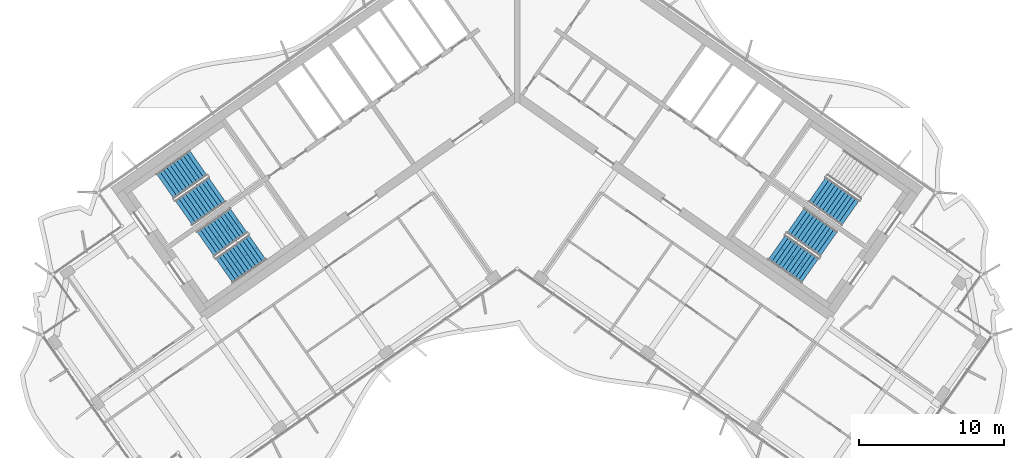
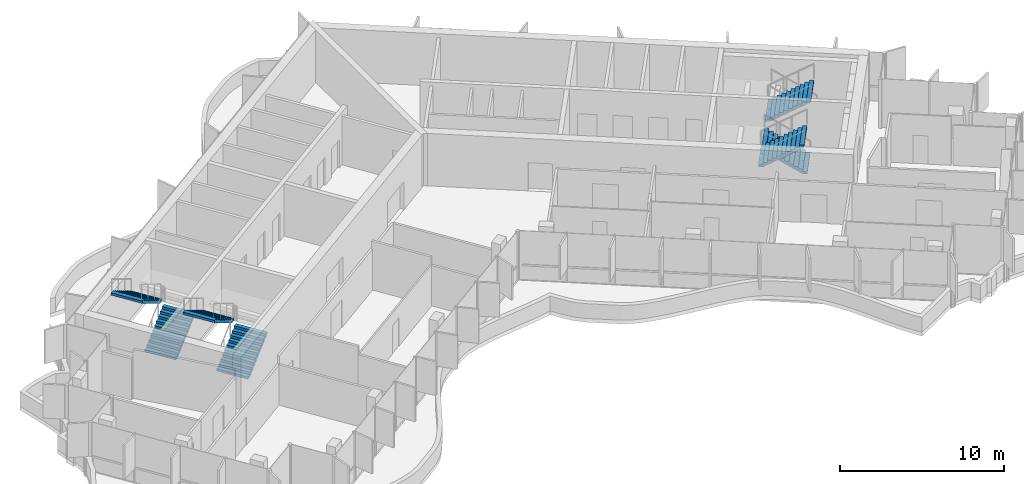
# One storey, part 14 of 20: 7 stair flights, 4 elements without a shape of their own.
"""IFC4 building model written with IfcOpenShell, lengths in metres."""

from ifc_helpers import new_model, si_unit, direction, frame, origin, place, context, subcontext, project, spatial, polyline, outline, extrude, material, type_object, element, aggregate, save


model = new_model("IFC4")

# Units and contexts
model_context = context("Model", 3, precision=1e-05, world=origin(), true_north=direction((0.0, 1.0)))
body_context = subcontext(model_context, "Body", "Model", "MODEL_VIEW")
ifc_project = project(units=[si_unit("LENGTHUNIT", "METRE"), si_unit("AREAUNIT", "SQUARE_METRE"), si_unit("VOLUMEUNIT", "CUBIC_METRE"), si_unit("PLANEANGLEUNIT", "RADIAN"), si_unit("MASSUNIT", "GRAM", prefix="KILO")], contexts=[model_context])

# Site, building, storey
site_placement = place(None, origin())
site = spatial("IfcSite", under=ifc_project, at=site_placement, CompositionType="ELEMENT")
building_placement = place(site_placement, origin())
building = spatial("IfcBuilding", under=site, at=building_placement, Name="Tel Ilan Convention Tower", CompositionType="ELEMENT")
storey_placement = place(building_placement, frame((0.0, 0.0, 244.89990234375)))
storey = spatial("IfcBuildingStorey", under=building, at=storey_placement, Name="L57", CompositionType="ELEMENT", Elevation=244.89990234375)

# Stair, stair flights
ifc_material_1 = material(Name="Concrete C40/50", Category="concrete")
stair_type = type_object("IfcStairType", Name="Pressurised Exit Stair 22 risers 177 mm", PredefinedType="HALF_TURN_STAIR", material=ifc_material_1)
stair_1_placement = place(storey_placement, origin())
stair_1 = element("IfcStair", 1, at=stair_1_placement, inside=storey, type_object=stair_type, Name="L57 Pressurised Stair S1", PredefinedType="HALF_TURN_STAIR")
ifc_material_2 = material(Name="Precast Concrete C40/50", Category="concrete")
stair_flight_type = type_object("IfcStairFlightType", Name="Concrete Stair Flight 2100 mm 22 risers 177 mm", PredefinedType="STRAIGHT", material=ifc_material_2)
stair_flight_1_placement = place(storey_placement, frame((-22.9619140625, -8.87548828125, 0.0), z_axis=(0.0, 0.0, 1.0), x_axis=(0.819152044289, 0.573576436351, 0.0)))
stair_flight_1 = element("IfcStairFlight", 2, at=stair_flight_1_placement, type_object=stair_flight_type, Name="S1 flight 1", NumberOfRisers=11, NumberOfTreads=10, PredefinedType="STRAIGHT", RiserHeight=0.177272727, TreadLength=0.28, context=body_context, shape_type="SweptSolid", body=[
    extrude(outline(polyline([(0.0, 0.0), (0.0, 0.17724609375), (0.280029296875, 0.17724609375), (0.280029296875, 0.3544921875), (0.56005859375, 0.3544921875), (0.56005859375, 0.53173828125), (0.840087890625, 0.53173828125), (0.840087890625, 0.708984375), (1.1201171875, 0.708984375), (1.1201171875, 0.886474609375), (1.39990234375, 0.886474609375), (1.39990234375, 1.063720703125), (1.679931640625, 1.063720703125), (1.679931640625, 1.240966796875), (1.9599609375, 1.240966796875), (1.9599609375, 1.418212890625), (2.239990234375, 1.418212890625), (2.239990234375, 1.595458984375), (2.52001953125, 1.595458984375), (2.52001953125, 1.772705078125), (2.800048828125, 1.772705078125), (2.800048828125, 1.949951171875), (2.800048828125, 1.59521484375), (0.2802734375, 0.0), (0.0, 0.0)])), frame((0.0, -0.100341796875, 0.0), z_axis=(0.0, -1.0, 0.0), x_axis=(1.0, 0.0, 0.0)), (0.0, 0.0, 1.0), 0.94970703125),
    extrude(outline(polyline([(0.0, 0.0), (0.0, 0.17724609375), (0.280029296875, 0.17724609375), (0.280029296875, 0.3544921875), (0.56005859375, 0.3544921875), (0.56005859375, 0.53173828125), (0.840087890625, 0.53173828125), (0.840087890625, 0.708984375), (1.1201171875, 0.708984375), (1.1201171875, 0.886474609375), (1.39990234375, 0.886474609375), (1.39990234375, 1.063720703125), (1.679931640625, 1.063720703125), (1.679931640625, 1.240966796875), (1.9599609375, 1.240966796875), (1.9599609375, 1.418212890625), (2.239990234375, 1.418212890625), (2.239990234375, 1.595458984375), (2.52001953125, 1.595458984375), (2.52001953125, 1.772705078125), (2.800048828125, 1.772705078125), (2.800048828125, 1.949951171875), (2.800048828125, 1.59521484375), (0.2802734375, 0.0), (0.0, 0.0)])), frame((0.0, -0.000244140625, 0.0), z_axis=(0.0, -1.0, 0.0), x_axis=(1.0, 0.0, 0.0)), (0.0, 0.0, 1.0), 0.099609375),
    extrude(outline(polyline([(0.0, 0.0), (0.0, 0.17724609375), (0.280029296875, 0.17724609375), (0.280029296875, 0.3544921875), (0.56005859375, 0.3544921875), (0.56005859375, 0.53173828125), (0.840087890625, 0.53173828125), (0.840087890625, 0.708984375), (1.1201171875, 0.708984375), (1.1201171875, 0.886474609375), (1.39990234375, 0.886474609375), (1.39990234375, 1.063720703125), (1.679931640625, 1.063720703125), (1.679931640625, 1.240966796875), (1.9599609375, 1.240966796875), (1.9599609375, 1.418212890625), (2.239990234375, 1.418212890625), (2.239990234375, 1.595458984375), (2.52001953125, 1.595458984375), (2.52001953125, 1.772705078125), (2.800048828125, 1.772705078125), (2.800048828125, 1.949951171875), (2.800048828125, 1.59521484375), (0.2802734375, 0.0), (0.0, 0.0)])), frame((0.0, 0.099853515625, 0.0), z_axis=(0.0, -1.0, 0.0), x_axis=(1.0, 0.0, 0.0)), (0.0, 0.0, 1.0), 0.099609375),
    extrude(outline(polyline([(0.0, 0.0), (0.0, 0.17724609375), (0.280029296875, 0.17724609375), (0.280029296875, 0.3544921875), (0.56005859375, 0.3544921875), (0.56005859375, 0.53173828125), (0.840087890625, 0.53173828125), (0.840087890625, 0.708984375), (1.1201171875, 0.708984375), (1.1201171875, 0.886474609375), (1.39990234375, 0.886474609375), (1.39990234375, 1.063720703125), (1.679931640625, 1.063720703125), (1.679931640625, 1.240966796875), (1.9599609375, 1.240966796875), (1.9599609375, 1.418212890625), (2.239990234375, 1.418212890625), (2.239990234375, 1.595458984375), (2.52001953125, 1.595458984375), (2.52001953125, 1.772705078125), (2.800048828125, 1.772705078125), (2.800048828125, 1.949951171875), (2.800048828125, 1.59521484375), (0.2802734375, 0.0), (0.0, 0.0)])), frame((0.0, 1.050048828125, 0.0), z_axis=(0.0, -1.0, 0.0), x_axis=(1.0, 0.0, 0.0)), (0.0, 0.0, 1.0), 0.94970703125),
])
stair_flight_2_placement = place(storey_placement, frame((-21.958740234375, -5.42626953125, 1.9501953125), z_axis=(0.0, 0.0, 1.0), x_axis=(-0.819152044289, -0.573576436351, 0.0)))
stair_flight_2 = element("IfcStairFlight", 3, at=stair_flight_2_placement, type_object=stair_flight_type, Name="S1 flight 2", NumberOfRisers=11, NumberOfTreads=10, PredefinedType="STRAIGHT", RiserHeight=0.177272727, TreadLength=0.28, context=body_context, shape_type="SweptSolid", body=[
    extrude(outline(polyline([(0.0, 0.0), (0.0, 0.17724609375), (0.280029296875, 0.17724609375), (0.280029296875, 0.3544921875), (0.56005859375, 0.3544921875), (0.56005859375, 0.53173828125), (0.840087890625, 0.53173828125), (0.840087890625, 0.708984375), (1.1201171875, 0.708984375), (1.1201171875, 0.886474609375), (1.39990234375, 0.886474609375), (1.39990234375, 1.063720703125), (1.679931640625, 1.063720703125), (1.679931640625, 1.240966796875), (1.9599609375, 1.240966796875), (1.9599609375, 1.418212890625), (2.239990234375, 1.418212890625), (2.239990234375, 1.595458984375), (2.52001953125, 1.595458984375), (2.52001953125, 1.772705078125), (2.800048828125, 1.772705078125), (2.800048828125, 1.949951171875), (2.800048828125, 1.59521484375), (0.2802734375, 0.0), (0.0, 0.0)])), frame((0.0, -0.100341796875, 0.0), z_axis=(0.0, -1.0, 0.0), x_axis=(1.0, 0.0, 0.0)), (0.0, 0.0, 1.0), 0.94970703125),
    extrude(outline(polyline([(0.0, 0.0), (0.0, 0.17724609375), (0.280029296875, 0.17724609375), (0.280029296875, 0.3544921875), (0.56005859375, 0.3544921875), (0.56005859375, 0.53173828125), (0.840087890625, 0.53173828125), (0.840087890625, 0.708984375), (1.1201171875, 0.708984375), (1.1201171875, 0.886474609375), (1.39990234375, 0.886474609375), (1.39990234375, 1.063720703125), (1.679931640625, 1.063720703125), (1.679931640625, 1.240966796875), (1.9599609375, 1.240966796875), (1.9599609375, 1.418212890625), (2.239990234375, 1.418212890625), (2.239990234375, 1.595458984375), (2.52001953125, 1.595458984375), (2.52001953125, 1.772705078125), (2.800048828125, 1.772705078125), (2.800048828125, 1.949951171875), (2.800048828125, 1.59521484375), (0.2802734375, 0.0), (0.0, 0.0)])), frame((0.0, -0.000244140625, 0.0), z_axis=(0.0, -1.0, 0.0), x_axis=(1.0, 0.0, 0.0)), (0.0, 0.0, 1.0), 0.099609375),
    extrude(outline(polyline([(0.0, 0.0), (0.0, 0.17724609375), (0.280029296875, 0.17724609375), (0.280029296875, 0.3544921875), (0.56005859375, 0.3544921875), (0.56005859375, 0.53173828125), (0.840087890625, 0.53173828125), (0.840087890625, 0.708984375), (1.1201171875, 0.708984375), (1.1201171875, 0.886474609375), (1.39990234375, 0.886474609375), (1.39990234375, 1.063720703125), (1.679931640625, 1.063720703125), (1.679931640625, 1.240966796875), (1.9599609375, 1.240966796875), (1.9599609375, 1.418212890625), (2.239990234375, 1.418212890625), (2.239990234375, 1.595458984375), (2.52001953125, 1.595458984375), (2.52001953125, 1.772705078125), (2.800048828125, 1.772705078125), (2.800048828125, 1.949951171875), (2.800048828125, 1.59521484375), (0.2802734375, 0.0), (0.0, 0.0)])), frame((0.0, 0.099853515625, 0.0), z_axis=(0.0, -1.0, 0.0), x_axis=(1.0, 0.0, 0.0)), (0.0, 0.0, 1.0), 0.099609375),
    extrude(outline(polyline([(0.0, 0.0), (0.0, 0.17724609375), (0.280029296875, 0.17724609375), (0.280029296875, 0.3544921875), (0.56005859375, 0.3544921875), (0.56005859375, 0.53173828125), (0.840087890625, 0.53173828125), (0.840087890625, 0.708984375), (1.1201171875, 0.708984375), (1.1201171875, 0.886474609375), (1.39990234375, 0.886474609375), (1.39990234375, 1.063720703125), (1.679931640625, 1.063720703125), (1.679931640625, 1.240966796875), (1.9599609375, 1.240966796875), (1.9599609375, 1.418212890625), (2.239990234375, 1.418212890625), (2.239990234375, 1.595458984375), (2.52001953125, 1.595458984375), (2.52001953125, 1.772705078125), (2.800048828125, 1.772705078125), (2.800048828125, 1.949951171875), (2.800048828125, 1.59521484375), (0.2802734375, 0.0), (0.0, 0.0)])), frame((0.0, 1.050048828125, 0.0), z_axis=(0.0, -1.0, 0.0), x_axis=(1.0, 0.0, 0.0)), (0.0, 0.0, 1.0), 0.94970703125),
])
aggregate(stair_1, [stair_flight_1, stair_flight_2])

stair_2_placement = place(storey_placement, origin())
stair_2 = element("IfcStair", 4, at=stair_2_placement, inside=storey, type_object=stair_type, Name="L57 Pressurised Stair S2", PredefinedType="HALF_TURN_STAIR")
stair_flight_3_placement = place(storey_placement, frame((-20.179931640625, -12.848388671875, 0.0), z_axis=(0.0, 0.0, 1.0), x_axis=(0.819152044289, 0.573576436351, 0.0)))
stair_flight_3 = element("IfcStairFlight", 5, at=stair_flight_3_placement, type_object=stair_flight_type, Name="S2 flight 1", NumberOfRisers=11, NumberOfTreads=10, PredefinedType="STRAIGHT", RiserHeight=0.177272727, TreadLength=0.28, context=body_context, shape_type="SweptSolid", body=[
    extrude(outline(polyline([(0.0, 0.0), (0.0, 0.17724609375), (0.280029296875, 0.17724609375), (0.280029296875, 0.3544921875), (0.56005859375, 0.3544921875), (0.56005859375, 0.53173828125), (0.840087890625, 0.53173828125), (0.840087890625, 0.708984375), (1.1201171875, 0.708984375), (1.1201171875, 0.886474609375), (1.39990234375, 0.886474609375), (1.39990234375, 1.063720703125), (1.679931640625, 1.063720703125), (1.679931640625, 1.240966796875), (1.9599609375, 1.240966796875), (1.9599609375, 1.418212890625), (2.239990234375, 1.418212890625), (2.239990234375, 1.595458984375), (2.52001953125, 1.595458984375), (2.52001953125, 1.772705078125), (2.800048828125, 1.772705078125), (2.800048828125, 1.949951171875), (2.800048828125, 1.59521484375), (0.2802734375, 0.0), (0.0, 0.0)])), frame((0.0, -0.100341796875, 0.0), z_axis=(0.0, -1.0, 0.0), x_axis=(1.0, 0.0, 0.0)), (0.0, 0.0, 1.0), 0.94970703125),
    extrude(outline(polyline([(0.0, 0.0), (0.0, 0.17724609375), (0.280029296875, 0.17724609375), (0.280029296875, 0.3544921875), (0.56005859375, 0.3544921875), (0.56005859375, 0.53173828125), (0.840087890625, 0.53173828125), (0.840087890625, 0.708984375), (1.1201171875, 0.708984375), (1.1201171875, 0.886474609375), (1.39990234375, 0.886474609375), (1.39990234375, 1.063720703125), (1.679931640625, 1.063720703125), (1.679931640625, 1.240966796875), (1.9599609375, 1.240966796875), (1.9599609375, 1.418212890625), (2.239990234375, 1.418212890625), (2.239990234375, 1.595458984375), (2.52001953125, 1.595458984375), (2.52001953125, 1.772705078125), (2.800048828125, 1.772705078125), (2.800048828125, 1.949951171875), (2.800048828125, 1.59521484375), (0.2802734375, 0.0), (0.0, 0.0)])), frame((0.0, -0.000244140625, 0.0), z_axis=(0.0, -1.0, 0.0), x_axis=(1.0, 0.0, 0.0)), (0.0, 0.0, 1.0), 0.099609375),
    extrude(outline(polyline([(0.0, 0.0), (0.0, 0.17724609375), (0.280029296875, 0.17724609375), (0.280029296875, 0.3544921875), (0.56005859375, 0.3544921875), (0.56005859375, 0.53173828125), (0.840087890625, 0.53173828125), (0.840087890625, 0.708984375), (1.1201171875, 0.708984375), (1.1201171875, 0.886474609375), (1.39990234375, 0.886474609375), (1.39990234375, 1.063720703125), (1.679931640625, 1.063720703125), (1.679931640625, 1.240966796875), (1.9599609375, 1.240966796875), (1.9599609375, 1.418212890625), (2.239990234375, 1.418212890625), (2.239990234375, 1.595458984375), (2.52001953125, 1.595458984375), (2.52001953125, 1.772705078125), (2.800048828125, 1.772705078125), (2.800048828125, 1.949951171875), (2.800048828125, 1.59521484375), (0.2802734375, 0.0), (0.0, 0.0)])), frame((0.0, 0.099853515625, 0.0), z_axis=(0.0, -1.0, 0.0), x_axis=(1.0, 0.0, 0.0)), (0.0, 0.0, 1.0), 0.099609375),
    extrude(outline(polyline([(0.0, 0.0), (0.0, 0.17724609375), (0.280029296875, 0.17724609375), (0.280029296875, 0.3544921875), (0.56005859375, 0.3544921875), (0.56005859375, 0.53173828125), (0.840087890625, 0.53173828125), (0.840087890625, 0.708984375), (1.1201171875, 0.708984375), (1.1201171875, 0.886474609375), (1.39990234375, 0.886474609375), (1.39990234375, 1.063720703125), (1.679931640625, 1.063720703125), (1.679931640625, 1.240966796875), (1.9599609375, 1.240966796875), (1.9599609375, 1.418212890625), (2.239990234375, 1.418212890625), (2.239990234375, 1.595458984375), (2.52001953125, 1.595458984375), (2.52001953125, 1.772705078125), (2.800048828125, 1.772705078125), (2.800048828125, 1.949951171875), (2.800048828125, 1.59521484375), (0.2802734375, 0.0), (0.0, 0.0)])), frame((0.0, 1.050048828125, 0.0), z_axis=(0.0, -1.0, 0.0), x_axis=(1.0, 0.0, 0.0)), (0.0, 0.0, 1.0), 0.94970703125),
])
stair_flight_4_placement = place(storey_placement, frame((-19.177001953125, -9.399169921875, 1.9501953125), z_axis=(0.0, 0.0, 1.0), x_axis=(-0.819152044289, -0.573576436351, 0.0)))
stair_flight_4 = element("IfcStairFlight", 6, at=stair_flight_4_placement, type_object=stair_flight_type, Name="S2 flight 2", NumberOfRisers=11, NumberOfTreads=10, PredefinedType="STRAIGHT", RiserHeight=0.177272727, TreadLength=0.28, context=body_context, shape_type="SweptSolid", body=[
    extrude(outline(polyline([(0.0, 0.0), (0.0, 0.17724609375), (0.280029296875, 0.17724609375), (0.280029296875, 0.3544921875), (0.56005859375, 0.3544921875), (0.56005859375, 0.53173828125), (0.840087890625, 0.53173828125), (0.840087890625, 0.708984375), (1.1201171875, 0.708984375), (1.1201171875, 0.886474609375), (1.39990234375, 0.886474609375), (1.39990234375, 1.063720703125), (1.679931640625, 1.063720703125), (1.679931640625, 1.240966796875), (1.9599609375, 1.240966796875), (1.9599609375, 1.418212890625), (2.239990234375, 1.418212890625), (2.239990234375, 1.595458984375), (2.52001953125, 1.595458984375), (2.52001953125, 1.772705078125), (2.800048828125, 1.772705078125), (2.800048828125, 1.949951171875), (2.800048828125, 1.59521484375), (0.2802734375, 0.0), (0.0, 0.0)])), frame((0.0, -0.100341796875, 0.0), z_axis=(0.0, -1.0, 0.0), x_axis=(1.0, 0.0, 0.0)), (0.0, 0.0, 1.0), 0.94970703125),
    extrude(outline(polyline([(0.0, 0.0), (0.0, 0.17724609375), (0.280029296875, 0.17724609375), (0.280029296875, 0.3544921875), (0.56005859375, 0.3544921875), (0.56005859375, 0.53173828125), (0.840087890625, 0.53173828125), (0.840087890625, 0.708984375), (1.1201171875, 0.708984375), (1.1201171875, 0.886474609375), (1.39990234375, 0.886474609375), (1.39990234375, 1.063720703125), (1.679931640625, 1.063720703125), (1.679931640625, 1.240966796875), (1.9599609375, 1.240966796875), (1.9599609375, 1.418212890625), (2.239990234375, 1.418212890625), (2.239990234375, 1.595458984375), (2.52001953125, 1.595458984375), (2.52001953125, 1.772705078125), (2.800048828125, 1.772705078125), (2.800048828125, 1.949951171875), (2.800048828125, 1.59521484375), (0.2802734375, 0.0), (0.0, 0.0)])), frame((0.0, -0.000244140625, 0.0), z_axis=(0.0, -1.0, 0.0), x_axis=(1.0, 0.0, 0.0)), (0.0, 0.0, 1.0), 0.099609375),
    extrude(outline(polyline([(0.0, 0.0), (0.0, 0.17724609375), (0.280029296875, 0.17724609375), (0.280029296875, 0.3544921875), (0.56005859375, 0.3544921875), (0.56005859375, 0.53173828125), (0.840087890625, 0.53173828125), (0.840087890625, 0.708984375), (1.1201171875, 0.708984375), (1.1201171875, 0.886474609375), (1.39990234375, 0.886474609375), (1.39990234375, 1.063720703125), (1.679931640625, 1.063720703125), (1.679931640625, 1.240966796875), (1.9599609375, 1.240966796875), (1.9599609375, 1.418212890625), (2.239990234375, 1.418212890625), (2.239990234375, 1.595458984375), (2.52001953125, 1.595458984375), (2.52001953125, 1.772705078125), (2.800048828125, 1.772705078125), (2.800048828125, 1.949951171875), (2.800048828125, 1.59521484375), (0.2802734375, 0.0), (0.0, 0.0)])), frame((0.0, 0.099853515625, 0.0), z_axis=(0.0, -1.0, 0.0), x_axis=(1.0, 0.0, 0.0)), (0.0, 0.0, 1.0), 0.099609375),
    extrude(outline(polyline([(0.0, 0.0), (0.0, 0.17724609375), (0.280029296875, 0.17724609375), (0.280029296875, 0.3544921875), (0.56005859375, 0.3544921875), (0.56005859375, 0.53173828125), (0.840087890625, 0.53173828125), (0.840087890625, 0.708984375), (1.1201171875, 0.708984375), (1.1201171875, 0.886474609375), (1.39990234375, 0.886474609375), (1.39990234375, 1.063720703125), (1.679931640625, 1.063720703125), (1.679931640625, 1.240966796875), (1.9599609375, 1.240966796875), (1.9599609375, 1.418212890625), (2.239990234375, 1.418212890625), (2.239990234375, 1.595458984375), (2.52001953125, 1.595458984375), (2.52001953125, 1.772705078125), (2.800048828125, 1.772705078125), (2.800048828125, 1.949951171875), (2.800048828125, 1.59521484375), (0.2802734375, 0.0), (0.0, 0.0)])), frame((0.0, 1.050048828125, 0.0), z_axis=(0.0, -1.0, 0.0), x_axis=(1.0, 0.0, 0.0)), (0.0, 0.0, 1.0), 0.94970703125),
])
aggregate(stair_2, [stair_flight_3, stair_flight_4])

# Stair, stair flight
stair_3_placement = place(storey_placement, origin())
stair_3 = element("IfcStair", 7, at=stair_3_placement, inside=storey, type_object=stair_type, Name="L57 Pressurised Stair S3", PredefinedType="HALF_TURN_STAIR")
stair_flight_5_placement = place(storey_placement, frame((20.668212890625, -7.26953125, 1.9501953125), z_axis=(0.0, 0.0, 1.0), x_axis=(0.819152044289, -0.573576436351, 0.0)))
stair_flight_5 = element("IfcStairFlight", 8, at=stair_flight_5_placement, type_object=stair_flight_type, Name="S3 flight 2", NumberOfRisers=11, NumberOfTreads=10, PredefinedType="STRAIGHT", RiserHeight=0.177272727, TreadLength=0.28, context=body_context, shape_type="SweptSolid", body=[
    extrude(outline(polyline([(0.0, 0.0), (0.0, 0.17724609375), (0.280029296875, 0.17724609375), (0.280029296875, 0.3544921875), (0.56005859375, 0.3544921875), (0.56005859375, 0.53173828125), (0.840087890625, 0.53173828125), (0.840087890625, 0.708984375), (1.1201171875, 0.708984375), (1.1201171875, 0.886474609375), (1.39990234375, 0.886474609375), (1.39990234375, 1.063720703125), (1.679931640625, 1.063720703125), (1.679931640625, 1.240966796875), (1.9599609375, 1.240966796875), (1.9599609375, 1.418212890625), (2.239990234375, 1.418212890625), (2.239990234375, 1.595458984375), (2.52001953125, 1.595458984375), (2.52001953125, 1.772705078125), (2.800048828125, 1.772705078125), (2.800048828125, 1.949951171875), (2.800048828125, 1.59521484375), (0.2802734375, 0.0), (0.0, 0.0)])), frame((0.0, -0.100341796875, 0.0), z_axis=(0.0, -1.0, 0.0), x_axis=(1.0, 0.0, 0.0)), (0.0, 0.0, 1.0), 0.94970703125),
    extrude(outline(polyline([(0.0, 0.0), (0.0, 0.17724609375), (0.280029296875, 0.17724609375), (0.280029296875, 0.3544921875), (0.56005859375, 0.3544921875), (0.56005859375, 0.53173828125), (0.840087890625, 0.53173828125), (0.840087890625, 0.708984375), (1.1201171875, 0.708984375), (1.1201171875, 0.886474609375), (1.39990234375, 0.886474609375), (1.39990234375, 1.063720703125), (1.679931640625, 1.063720703125), (1.679931640625, 1.240966796875), (1.9599609375, 1.240966796875), (1.9599609375, 1.418212890625), (2.239990234375, 1.418212890625), (2.239990234375, 1.595458984375), (2.52001953125, 1.595458984375), (2.52001953125, 1.772705078125), (2.800048828125, 1.772705078125), (2.800048828125, 1.949951171875), (2.800048828125, 1.59521484375), (0.2802734375, 0.0), (0.0, 0.0)])), frame((0.0, -0.000244140625, 0.0), z_axis=(0.0, -1.0, 0.0), x_axis=(1.0, 0.0, 0.0)), (0.0, 0.0, 1.0), 0.099609375),
    extrude(outline(polyline([(0.0, 0.0), (0.0, 0.17724609375), (0.280029296875, 0.17724609375), (0.280029296875, 0.3544921875), (0.56005859375, 0.3544921875), (0.56005859375, 0.53173828125), (0.840087890625, 0.53173828125), (0.840087890625, 0.708984375), (1.1201171875, 0.708984375), (1.1201171875, 0.886474609375), (1.39990234375, 0.886474609375), (1.39990234375, 1.063720703125), (1.679931640625, 1.063720703125), (1.679931640625, 1.240966796875), (1.9599609375, 1.240966796875), (1.9599609375, 1.418212890625), (2.239990234375, 1.418212890625), (2.239990234375, 1.595458984375), (2.52001953125, 1.595458984375), (2.52001953125, 1.772705078125), (2.800048828125, 1.772705078125), (2.800048828125, 1.949951171875), (2.800048828125, 1.59521484375), (0.2802734375, 0.0), (0.0, 0.0)])), frame((0.0, 0.099853515625, 0.0), z_axis=(0.0, -1.0, 0.0), x_axis=(1.0, 0.0, 0.0)), (0.0, 0.0, 1.0), 0.099609375),
    extrude(outline(polyline([(0.0, 0.0), (0.0, 0.17724609375), (0.280029296875, 0.17724609375), (0.280029296875, 0.3544921875), (0.56005859375, 0.3544921875), (0.56005859375, 0.53173828125), (0.840087890625, 0.53173828125), (0.840087890625, 0.708984375), (1.1201171875, 0.708984375), (1.1201171875, 0.886474609375), (1.39990234375, 0.886474609375), (1.39990234375, 1.063720703125), (1.679931640625, 1.063720703125), (1.679931640625, 1.240966796875), (1.9599609375, 1.240966796875), (1.9599609375, 1.418212890625), (2.239990234375, 1.418212890625), (2.239990234375, 1.595458984375), (2.52001953125, 1.595458984375), (2.52001953125, 1.772705078125), (2.800048828125, 1.772705078125), (2.800048828125, 1.949951171875), (2.800048828125, 1.59521484375), (0.2802734375, 0.0), (0.0, 0.0)])), frame((0.0, 1.050048828125, 0.0), z_axis=(0.0, -1.0, 0.0), x_axis=(1.0, 0.0, 0.0)), (0.0, 0.0, 1.0), 0.94970703125),
])
aggregate(stair_3, [stair_flight_5])

# Stair, stair flights
stair_4_placement = place(storey_placement, origin())
stair_4 = element("IfcStair", 9, at=stair_4_placement, inside=storey, type_object=stair_type, Name="L57 Pressurised Stair S4", PredefinedType="HALF_TURN_STAIR")
stair_flight_6_placement = place(storey_placement, frame((21.470458984375, -11.00537109375, 0.0), z_axis=(0.0, 0.0, 1.0), x_axis=(-0.819152044289, 0.573576436351, 0.0)))
stair_flight_6 = element("IfcStairFlight", 10, at=stair_flight_6_placement, type_object=stair_flight_type, Name="S4 flight 1", NumberOfRisers=11, NumberOfTreads=10, PredefinedType="STRAIGHT", RiserHeight=0.177272727, TreadLength=0.28, context=body_context, shape_type="SweptSolid", body=[
    extrude(outline(polyline([(0.0, 0.0), (0.0, 0.17724609375), (0.280029296875, 0.17724609375), (0.280029296875, 0.3544921875), (0.56005859375, 0.3544921875), (0.56005859375, 0.53173828125), (0.840087890625, 0.53173828125), (0.840087890625, 0.708984375), (1.1201171875, 0.708984375), (1.1201171875, 0.886474609375), (1.39990234375, 0.886474609375), (1.39990234375, 1.063720703125), (1.679931640625, 1.063720703125), (1.679931640625, 1.240966796875), (1.9599609375, 1.240966796875), (1.9599609375, 1.418212890625), (2.239990234375, 1.418212890625), (2.239990234375, 1.595458984375), (2.52001953125, 1.595458984375), (2.52001953125, 1.772705078125), (2.800048828125, 1.772705078125), (2.800048828125, 1.949951171875), (2.800048828125, 1.59521484375), (0.2802734375, 0.0), (0.0, 0.0)])), frame((0.0, -0.100341796875, 0.0), z_axis=(0.0, -1.0, 0.0), x_axis=(1.0, 0.0, 0.0)), (0.0, 0.0, 1.0), 0.94970703125),
    extrude(outline(polyline([(0.0, 0.0), (0.0, 0.17724609375), (0.280029296875, 0.17724609375), (0.280029296875, 0.3544921875), (0.56005859375, 0.3544921875), (0.56005859375, 0.53173828125), (0.840087890625, 0.53173828125), (0.840087890625, 0.708984375), (1.1201171875, 0.708984375), (1.1201171875, 0.886474609375), (1.39990234375, 0.886474609375), (1.39990234375, 1.063720703125), (1.679931640625, 1.063720703125), (1.679931640625, 1.240966796875), (1.9599609375, 1.240966796875), (1.9599609375, 1.418212890625), (2.239990234375, 1.418212890625), (2.239990234375, 1.595458984375), (2.52001953125, 1.595458984375), (2.52001953125, 1.772705078125), (2.800048828125, 1.772705078125), (2.800048828125, 1.949951171875), (2.800048828125, 1.59521484375), (0.2802734375, 0.0), (0.0, 0.0)])), frame((0.0, -0.000244140625, 0.0), z_axis=(0.0, -1.0, 0.0), x_axis=(1.0, 0.0, 0.0)), (0.0, 0.0, 1.0), 0.099609375),
    extrude(outline(polyline([(0.0, 0.0), (0.0, 0.17724609375), (0.280029296875, 0.17724609375), (0.280029296875, 0.3544921875), (0.56005859375, 0.3544921875), (0.56005859375, 0.53173828125), (0.840087890625, 0.53173828125), (0.840087890625, 0.708984375), (1.1201171875, 0.708984375), (1.1201171875, 0.886474609375), (1.39990234375, 0.886474609375), (1.39990234375, 1.063720703125), (1.679931640625, 1.063720703125), (1.679931640625, 1.240966796875), (1.9599609375, 1.240966796875), (1.9599609375, 1.418212890625), (2.239990234375, 1.418212890625), (2.239990234375, 1.595458984375), (2.52001953125, 1.595458984375), (2.52001953125, 1.772705078125), (2.800048828125, 1.772705078125), (2.800048828125, 1.949951171875), (2.800048828125, 1.59521484375), (0.2802734375, 0.0), (0.0, 0.0)])), frame((0.0, 0.099853515625, 0.0), z_axis=(0.0, -1.0, 0.0), x_axis=(1.0, 0.0, 0.0)), (0.0, 0.0, 1.0), 0.099609375),
    extrude(outline(polyline([(0.0, 0.0), (0.0, 0.17724609375), (0.280029296875, 0.17724609375), (0.280029296875, 0.3544921875), (0.56005859375, 0.3544921875), (0.56005859375, 0.53173828125), (0.840087890625, 0.53173828125), (0.840087890625, 0.708984375), (1.1201171875, 0.708984375), (1.1201171875, 0.886474609375), (1.39990234375, 0.886474609375), (1.39990234375, 1.063720703125), (1.679931640625, 1.063720703125), (1.679931640625, 1.240966796875), (1.9599609375, 1.240966796875), (1.9599609375, 1.418212890625), (2.239990234375, 1.418212890625), (2.239990234375, 1.595458984375), (2.52001953125, 1.595458984375), (2.52001953125, 1.772705078125), (2.800048828125, 1.772705078125), (2.800048828125, 1.949951171875), (2.800048828125, 1.59521484375), (0.2802734375, 0.0), (0.0, 0.0)])), frame((0.0, 1.050048828125, 0.0), z_axis=(0.0, -1.0, 0.0), x_axis=(1.0, 0.0, 0.0)), (0.0, 0.0, 1.0), 0.94970703125),
])
stair_flight_7_placement = place(storey_placement, frame((17.886474609375, -11.242431640625, 1.9501953125), z_axis=(0.0, 0.0, 1.0), x_axis=(0.819152044289, -0.573576436351, 0.0)))
stair_flight_7 = element("IfcStairFlight", 11, at=stair_flight_7_placement, type_object=stair_flight_type, Name="S4 flight 2", NumberOfRisers=11, NumberOfTreads=10, PredefinedType="STRAIGHT", RiserHeight=0.177272727, TreadLength=0.28, context=body_context, shape_type="SweptSolid", body=[
    extrude(outline(polyline([(0.0, 0.0), (0.0, 0.17724609375), (0.280029296875, 0.17724609375), (0.280029296875, 0.3544921875), (0.56005859375, 0.3544921875), (0.56005859375, 0.53173828125), (0.840087890625, 0.53173828125), (0.840087890625, 0.708984375), (1.1201171875, 0.708984375), (1.1201171875, 0.886474609375), (1.39990234375, 0.886474609375), (1.39990234375, 1.063720703125), (1.679931640625, 1.063720703125), (1.679931640625, 1.240966796875), (1.9599609375, 1.240966796875), (1.9599609375, 1.418212890625), (2.239990234375, 1.418212890625), (2.239990234375, 1.595458984375), (2.52001953125, 1.595458984375), (2.52001953125, 1.772705078125), (2.800048828125, 1.772705078125), (2.800048828125, 1.949951171875), (2.800048828125, 1.59521484375), (0.2802734375, 0.0), (0.0, 0.0)])), frame((0.0, -0.100341796875, 0.0), z_axis=(0.0, -1.0, 0.0), x_axis=(1.0, 0.0, 0.0)), (0.0, 0.0, 1.0), 0.94970703125),
    extrude(outline(polyline([(0.0, 0.0), (0.0, 0.17724609375), (0.280029296875, 0.17724609375), (0.280029296875, 0.3544921875), (0.56005859375, 0.3544921875), (0.56005859375, 0.53173828125), (0.840087890625, 0.53173828125), (0.840087890625, 0.708984375), (1.1201171875, 0.708984375), (1.1201171875, 0.886474609375), (1.39990234375, 0.886474609375), (1.39990234375, 1.063720703125), (1.679931640625, 1.063720703125), (1.679931640625, 1.240966796875), (1.9599609375, 1.240966796875), (1.9599609375, 1.418212890625), (2.239990234375, 1.418212890625), (2.239990234375, 1.595458984375), (2.52001953125, 1.595458984375), (2.52001953125, 1.772705078125), (2.800048828125, 1.772705078125), (2.800048828125, 1.949951171875), (2.800048828125, 1.59521484375), (0.2802734375, 0.0), (0.0, 0.0)])), frame((0.0, -0.000244140625, 0.0), z_axis=(0.0, -1.0, 0.0), x_axis=(1.0, 0.0, 0.0)), (0.0, 0.0, 1.0), 0.099609375),
    extrude(outline(polyline([(0.0, 0.0), (0.0, 0.17724609375), (0.280029296875, 0.17724609375), (0.280029296875, 0.3544921875), (0.56005859375, 0.3544921875), (0.56005859375, 0.53173828125), (0.840087890625, 0.53173828125), (0.840087890625, 0.708984375), (1.1201171875, 0.708984375), (1.1201171875, 0.886474609375), (1.39990234375, 0.886474609375), (1.39990234375, 1.063720703125), (1.679931640625, 1.063720703125), (1.679931640625, 1.240966796875), (1.9599609375, 1.240966796875), (1.9599609375, 1.418212890625), (2.239990234375, 1.418212890625), (2.239990234375, 1.595458984375), (2.52001953125, 1.595458984375), (2.52001953125, 1.772705078125), (2.800048828125, 1.772705078125), (2.800048828125, 1.949951171875), (2.800048828125, 1.59521484375), (0.2802734375, 0.0), (0.0, 0.0)])), frame((0.0, 0.099853515625, 0.0), z_axis=(0.0, -1.0, 0.0), x_axis=(1.0, 0.0, 0.0)), (0.0, 0.0, 1.0), 0.099609375),
    extrude(outline(polyline([(0.0, 0.0), (0.0, 0.17724609375), (0.280029296875, 0.17724609375), (0.280029296875, 0.3544921875), (0.56005859375, 0.3544921875), (0.56005859375, 0.53173828125), (0.840087890625, 0.53173828125), (0.840087890625, 0.708984375), (1.1201171875, 0.708984375), (1.1201171875, 0.886474609375), (1.39990234375, 0.886474609375), (1.39990234375, 1.063720703125), (1.679931640625, 1.063720703125), (1.679931640625, 1.240966796875), (1.9599609375, 1.240966796875), (1.9599609375, 1.418212890625), (2.239990234375, 1.418212890625), (2.239990234375, 1.595458984375), (2.52001953125, 1.595458984375), (2.52001953125, 1.772705078125), (2.800048828125, 1.772705078125), (2.800048828125, 1.949951171875), (2.800048828125, 1.59521484375), (0.2802734375, 0.0), (0.0, 0.0)])), frame((0.0, 1.050048828125, 0.0), z_axis=(0.0, -1.0, 0.0), x_axis=(1.0, 0.0, 0.0)), (0.0, 0.0, 1.0), 0.94970703125),
])
aggregate(stair_4, [stair_flight_6, stair_flight_7])

save(model, "model.ifc")
